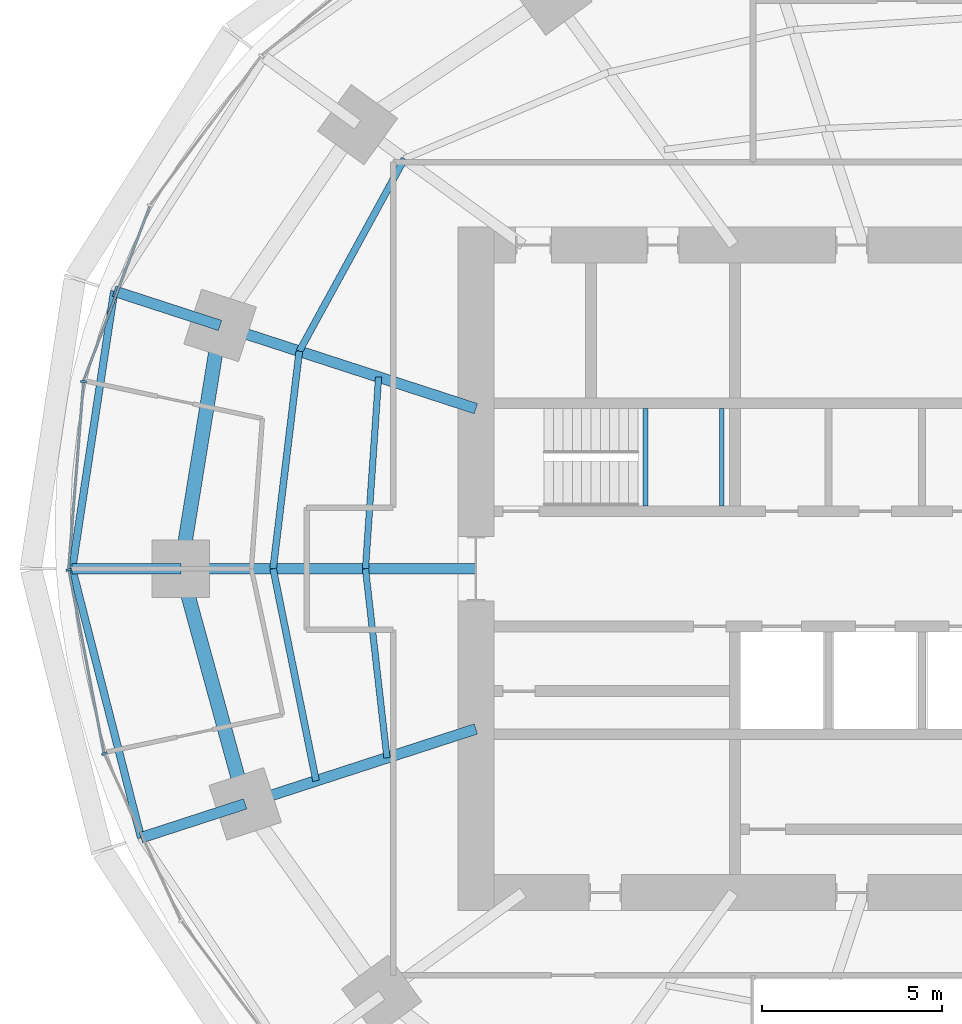
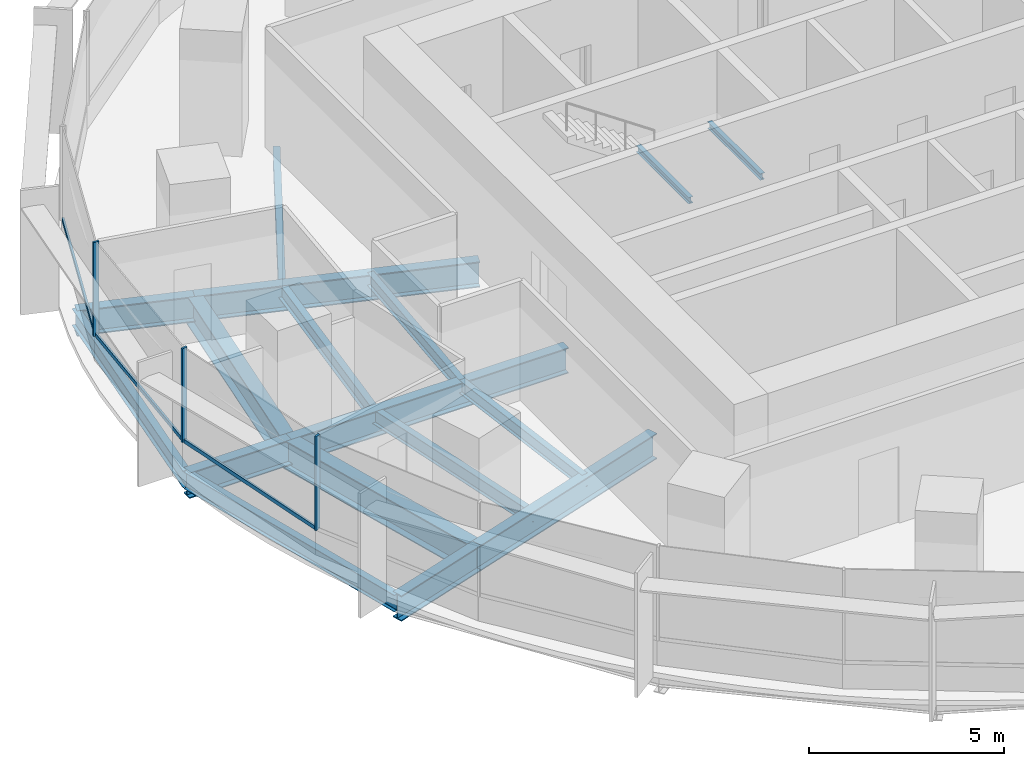
# One storey, part 4 of 14: 17 beams, 6 members, 2 elements without a shape of their own.
"""IFC4 building model written with IfcOpenShell, lengths in metres."""

from ifc_helpers import new_model, si_unit, direction, frame, origin, origin_2d, place, context, subcontext, project, spatial, rectangle, i_section, extrude, material, material_profile, profile_set, type_object, element, aggregate, save


model = new_model("IFC4")

# Units and contexts
model_context = context("Model", 3, precision=1e-05, world=origin(), true_north=direction((0.0, 1.0)))
body_context = subcontext(model_context, "Body", "Model", "MODEL_VIEW")
ifc_project = project(units=[si_unit("LENGTHUNIT", "METRE"), si_unit("AREAUNIT", "SQUARE_METRE"), si_unit("VOLUMEUNIT", "CUBIC_METRE"), si_unit("PLANEANGLEUNIT", "RADIAN"), si_unit("MASSUNIT", "GRAM", prefix="KILO")], contexts=[model_context])

# Site, building, storey
site_placement = place(None, origin())
site = spatial("IfcSite", under=ifc_project, at=site_placement, CompositionType="ELEMENT")
building_placement = place(site_placement, origin())
building = spatial("IfcBuilding", under=site, at=building_placement, Name="Marramba Exchange Tower", CompositionType="ELEMENT")
storey_placement = place(building_placement, frame((0.0, 0.0, 150.89990234375)))
storey = spatial("IfcBuildingStorey", under=building, at=storey_placement, Name="L36", CompositionType="ELEMENT", Elevation=150.89990234375)

# Beams
ifc_material_1 = material(Name="Steel AS/NZS 3679.2 grade 300", Category="steel")
ifc_material_profile_1 = material_profile(ifc_material_1, i_section(OverallWidth=0.300048828125, OverallDepth=0.800048828125, WebThickness=0.013916015625, FlangeThickness=0.031982421875, at=origin_2d()), Name="800WB192")
ifc_profile_set_1 = profile_set([ifc_material_profile_1], Name="Steel AS/NZS 3679.2 grade 300")
beam_type_1 = type_object("IfcBeamType", Name="Cantilever girder 800WB192", PredefinedType="BEAM", material=ifc_profile_set_1)
beam_1_placement = place(storey_placement, frame((-20.808349609375, 6.760986328125, -0.559814453125), z_axis=(-0.95104799017, 0.309043233858, 0.0), x_axis=(-0.309043233858, -0.95104799017, 0.0)))
element("IfcBeam", 1, at=beam_1_placement, inside=storey, type_object=beam_type_1, Name="Cantilever girder L36 TC10", PredefinedType="BEAM", context=body_context, shape_type="SweptSolid", body=[
    extrude(i_section(OverallWidth=0.300048828125, OverallDepth=0.800048828125, WebThickness=0.013916015625, FlangeThickness=0.031982421875, at=origin_2d()), origin(), (0.0, 0.0, 1.0), 3.0927734375),
])
beam_2_placement = place(storey_placement, frame((-21.89990234375, 0.0, -0.559814453125), z_axis=(-1.0, 0.0, 0.0), x_axis=(0.0, -1.0, 0.0)))
element("IfcBeam", 2, at=beam_2_placement, inside=storey, type_object=beam_type_1, Name="Cantilever girder L36 TC11", PredefinedType="BEAM", context=body_context, shape_type="SweptSolid", body=[
    extrude(i_section(OverallWidth=0.300048828125, OverallDepth=0.800048828125, WebThickness=0.013916015625, FlangeThickness=0.031982421875, at=origin_2d()), origin(), (0.0, 0.0, 1.0), 3.01806640625),
])
beam_3_placement = place(storey_placement, frame((-20.109375, -6.533935546875, -0.559814453125), z_axis=(-0.951070617775, -0.308973591113, 0.0), x_axis=(0.308973591113, -0.951070617775, 0.0)))
element("IfcBeam", 3, at=beam_3_placement, inside=storey, type_object=beam_type_1, Name="Cantilever girder L36 TC12", PredefinedType="BEAM", context=body_context, shape_type="SweptSolid", body=[
    extrude(i_section(OverallWidth=0.300048828125, OverallDepth=0.800048828125, WebThickness=0.013916015625, FlangeThickness=0.031982421875, at=origin_2d()), origin(), (0.0, 0.0, 1.0), 3.04296875),
])
ifc_material_2 = material(Name="Steel AS/NZS 3679.1 grade 300", Category="steel")
ifc_material_profile_2 = material_profile(ifc_material_2, i_section(OverallWidth=0.177978515625, OverallDepth=0.406005859375, WebThickness=0.0078125, FlangeThickness=0.0126953125, FilletRadius=0.011474609375, at=origin_2d()), Name="410UB59.7")
ifc_profile_set_2 = profile_set([ifc_material_profile_2], Name="Steel AS/NZS 3679.1 grade 300")
beam_type_2 = type_object("IfcBeamType", Name="Floor joist 410UB59.7", PredefinedType="JOIST", material=ifc_profile_set_2)
beam_4_placement = place(storey_placement, frame((-16.40283203125, 5.32958984375, -0.36279296875), z_axis=(-0.068096259546, -0.99767875563, 0.0), x_axis=(0.99767875563, -0.068096259546, 0.0)))
element("IfcBeam", 4, at=beam_4_placement, inside=storey, type_object=beam_type_2, Name="Joist L36 bay 10 row 1", PredefinedType="JOIST", context=body_context, shape_type="SweptSolid", body=[
    extrude(i_section(OverallWidth=0.177978515625, OverallDepth=0.406005859375, WebThickness=0.0078125, FlangeThickness=0.0126953125, FilletRadius=0.011474609375, at=origin_2d()), origin(), (0.0, 0.0, 1.0), 5.342041015625),
])
beam_5_placement = place(storey_placement, frame((-16.7666015625, 0.0, -0.36279296875), z_axis=(0.112888968594, -0.993607609054, 0.0), x_axis=(0.993607609054, 0.112888968594, 0.0)))
element("IfcBeam", 5, at=beam_5_placement, inside=storey, type_object=beam_type_2, Name="Joist L36 bay 11 row 1", PredefinedType="JOIST", context=body_context, shape_type="SweptSolid", body=[
    extrude(i_section(OverallWidth=0.177978515625, OverallDepth=0.406005859375, WebThickness=0.0078125, FlangeThickness=0.0126953125, FilletRadius=0.011474609375, at=origin_2d()), origin(), (0.0, 0.0, 1.0), 5.28759765625),
])
ifc_material_profile_3 = material_profile(ifc_material_2, i_section(OverallWidth=0.18994140625, OverallDepth=0.4541015625, WebThickness=0.008544921875, FlangeThickness=0.0126953125, FilletRadius=0.011474609375, at=origin_2d()), Name="460UB67.1")
ifc_profile_set_3 = profile_set([ifc_material_profile_3], Name="Steel AS/NZS 3679.1 grade 300")
beam_type_3 = type_object("IfcBeamType", Name="Floor joist 460UB67.1", PredefinedType="JOIST", material=ifc_profile_set_3)
beam_6_placement = place(storey_placement, frame((-15.682373046875, 11.393798828125, -0.386962890625), z_axis=(-0.479584443791, -0.877495732909, 0.0), x_axis=(0.877495732909, -0.479584443791, 0.0)))
element("IfcBeam", 6, at=beam_6_placement, inside=storey, type_object=beam_type_3, Name="Joist L36 bay 09 row 2", PredefinedType="JOIST", context=body_context, shape_type="SweptSolid", body=[
    extrude(i_section(OverallWidth=0.18994140625, OverallDepth=0.4541015625, WebThickness=0.008544921875, FlangeThickness=0.0126953125, FilletRadius=0.011474609375, at=origin_2d()), origin(), (0.0, 0.0, 1.0), 6.094970703125),
])
beam_7_placement = place(storey_placement, frame((-18.60546875, 6.04541015625, -0.386962890625), z_axis=(-0.119523078538, -0.992831422597, 0.0), x_axis=(0.992831422597, -0.119523078538, 0.0)))
element("IfcBeam", 7, at=beam_7_placement, inside=storey, type_object=beam_type_3, Name="Joist L36 bay 10 row 2", PredefinedType="JOIST", context=body_context, shape_type="SweptSolid", body=[
    extrude(i_section(OverallWidth=0.18994140625, OverallDepth=0.4541015625, WebThickness=0.008544921875, FlangeThickness=0.0126953125, FilletRadius=0.011474609375, at=origin_2d()), origin(), (0.0, 0.0, 1.0), 6.089111328125),
])
beam_8_placement = place(storey_placement, frame((-19.333251953125, 0.0, -0.386962890625), z_axis=(0.198489047047, -0.980103105904, 0.0), x_axis=(0.980103105904, 0.198489047047, 0.0)))
element("IfcBeam", 8, at=beam_8_placement, inside=storey, type_object=beam_type_3, Name="Joist L36 bay 11 row 2", PredefinedType="JOIST", context=body_context, shape_type="SweptSolid", body=[
    extrude(i_section(OverallWidth=0.18994140625, OverallDepth=0.4541015625, WebThickness=0.008544921875, FlangeThickness=0.0126953125, FilletRadius=0.011474609375, at=origin_2d()), origin(), (0.0, 0.0, 1.0), 6.013427734375),
])

# Curtain wall, member
ifc_material_3 = material(Name="Aluminium framing, bronze anodised", Category="aluminium")
curtain_wall_type = type_object("IfcCurtainWallType", Name="Office ribbon curtain wall", PredefinedType="USERDEFINED", material=ifc_material_3)
curtain_wall_1_placement = place(storey_placement, origin())
curtain_wall_1 = element("IfcCurtainWall", 9, at=curtain_wall_1_placement, inside=storey, type_object=curtain_wall_type, Name="Curtain wall CW4 L36 F11-F15", ObjectType="RIBBON CURTAIN WALL", PredefinedType="USERDEFINED")
ifc_material_4 = material(Name="Aluminium mullion, bronze anodised", Category="aluminium")
ifc_material_profile_4 = material_profile(ifc_material_4, rectangle(XDim=0.159912109375, YDim=0.06005859375, at=origin_2d()), Name="CW4 mullion 60x160")
ifc_profile_set_4 = profile_set([ifc_material_profile_4], Name="Aluminium mullion, bronze anodised")
member_type_1 = type_object("IfcMemberType", Name="Office ribbon curtain wall mullion", PredefinedType="MULLION", material=ifc_profile_set_4)
member_1_placement = place(storey_placement, frame((-24.603515625, 5.19921875, 0.800048828125), z_axis=(0.0, 0.0, 1.0), x_axis=(0.996838079455, -0.079459696383, 0.0)))
member_1 = element("IfcMember", 10, at=member_1_placement, type_object=member_type_1, Name="CW4 mullion 1", PredefinedType="MULLION", context=body_context, shape_type="SweptSolid", body=[
    extrude(rectangle(XDim=0.159912109375, YDim=0.06005859375, at=origin_2d()), origin(), (0.0, 0.0, 1.0), 2.93994140625),
])

# Curtain wall, members
curtain_wall_2_placement = place(storey_placement, origin())
curtain_wall_2 = element("IfcCurtainWall", 11, at=curtain_wall_2_placement, inside=storey, type_object=curtain_wall_type, Name="Curtain wall CW4 L36 F16-F20", ObjectType="RIBBON CURTAIN WALL", PredefinedType="USERDEFINED")
member_2_placement = place(storey_placement, frame((-25.012451171875, -0.029541015625, 0.800048828125), z_axis=(0.0, 0.0, 1.0), x_axis=(0.982125509078, 0.18822721487, 0.0)))
member_2 = element("IfcMember", 12, at=member_2_placement, type_object=member_type_1, Name="CW4 mullion 1", PredefinedType="MULLION", context=body_context, shape_type="SweptSolid", body=[
    extrude(rectangle(XDim=0.159912109375, YDim=0.06005859375, at=origin_2d()), origin(), (0.0, 0.0, 1.0), 2.93994140625),
])
member_3_placement = place(storey_placement, frame((-24.026123046875, -5.136962890625, 0.800048828125), z_axis=(0.0, 0.0, 1.0), x_axis=(0.909026713177, 0.416737848929, 0.0)))
member_3 = element("IfcMember", 13, at=member_3_placement, type_object=member_type_1, Name="CW4 mullion 1", PredefinedType="MULLION", context=body_context, shape_type="SweptSolid", body=[
    extrude(rectangle(XDim=0.159912109375, YDim=0.06005859375, at=origin_2d()), origin(), (0.0, 0.0, 1.0), 2.93994140625),
])

# Member
ifc_material_5 = material(Name="Aluminium transom, bronze anodised", Category="aluminium")
ifc_material_profile_5 = material_profile(ifc_material_5, rectangle(XDim=0.06005859375, YDim=0.1201171875, at=origin_2d()), Name="CW4 transom 60x120")
ifc_profile_set_5 = profile_set([ifc_material_profile_5], Name="Aluminium transom, bronze anodised")
member_type_2 = type_object("IfcMemberType", Name="Office ribbon curtain wall transom", PredefinedType="USERDEFINED", material=ifc_profile_set_5)
member_4_placement = place(storey_placement, frame((-22.763916015625, 10.069580078125, 0.830078125), z_axis=(-0.354851822252, -0.934922555212, 0.0), x_axis=(0.934922555212, -0.354851822252, 0.0)))
member_4 = element("IfcMember", 14, at=member_4_placement, type_object=member_type_2, Name="CW4 sill transom", ObjectType="TRANSOM", PredefinedType="USERDEFINED", context=body_context, shape_type="SweptSolid", body=[
    extrude(rectangle(XDim=0.06005859375, YDim=0.1201171875, at=origin_2d()), origin(), (0.0, 0.0, 1.0), 5.17724609375),
])

member_5_placement = place(storey_placement, frame((-24.60595703125, 5.16943359375, 0.830078125), z_axis=(-0.07946828762, -0.996837394595, 0.0), x_axis=(0.996837394595, -0.07946828762, 0.0)))
member_5 = element("IfcMember", 15, at=member_5_placement, type_object=member_type_2, Name="CW4 sill transom", ObjectType="TRANSOM", PredefinedType="USERDEFINED", context=body_context, shape_type="SweptSolid", body=[
    extrude(rectangle(XDim=0.06005859375, YDim=0.1201171875, at=origin_2d()), origin(), (0.0, 0.0, 1.0), 5.185791015625),
])

aggregate(curtain_wall_1, [member_4, member_1, member_5])

member_6_placement = place(storey_placement, frame((-25.006591796875, -0.058837890625, 0.830078125), z_axis=(0.188185293992, -0.982133542409, 0.0), x_axis=(0.982133542409, 0.188185293992, 0.0)))
member_6 = element("IfcMember", 16, at=member_6_placement, type_object=member_type_2, Name="CW4 sill transom", ObjectType="TRANSOM", PredefinedType="USERDEFINED", context=body_context, shape_type="SweptSolid", body=[
    extrude(rectangle(XDim=0.06005859375, YDim=0.1201171875, at=origin_2d()), origin(), (0.0, 0.0, 1.0), 5.142578125),
])

aggregate(curtain_wall_2, [member_2, member_6, member_3])

# Beams
ifc_material_profile_6 = material_profile(ifc_material_1, i_section(OverallWidth=0.300048828125, OverallDepth=0.800048828125, WebThickness=0.013916015625, FlangeThickness=0.031982421875, at=origin_2d()), Name="800WB192")
ifc_profile_set_6 = profile_set([ifc_material_profile_6], Name="Steel AS/NZS 3679.2 grade 300")
beam_type_4 = type_object("IfcBeamType", Name="Radial girder 800WB192", PredefinedType="BEAM", material=ifc_profile_set_6)
beam_9_placement = place(storey_placement, frame((-13.699951171875, 4.451416015625, -0.559814453125), z_axis=(-0.951059990189, 0.309006302624, 0.0), x_axis=(-0.309006302624, -0.951059990189, 0.0)))
element("IfcBeam", 17, at=beam_9_placement, inside=storey, type_object=beam_type_4, Name="Radial girder L36 TC10", PredefinedType="BEAM", context=body_context, shape_type="SweptSolid", body=[
    extrude(i_section(OverallWidth=0.300048828125, OverallDepth=0.800048828125, WebThickness=0.013916015625, FlangeThickness=0.031982421875, at=origin_2d()), origin(), (0.0, 0.0, 1.0), 7.47412109375),
])
beam_10_placement = place(storey_placement, frame((-13.699951171875, 0.0, -0.559814453125), z_axis=(-1.0, 0.0, 0.0), x_axis=(0.0, -1.0, 0.0)))
element("IfcBeam", 18, at=beam_10_placement, inside=storey, type_object=beam_type_4, Name="Radial girder L36 TC11", PredefinedType="BEAM", context=body_context, shape_type="SweptSolid", body=[
    extrude(i_section(OverallWidth=0.300048828125, OverallDepth=0.800048828125, WebThickness=0.013916015625, FlangeThickness=0.031982421875, at=origin_2d()), origin(), (0.0, 0.0, 1.0), 8.199951171875),
])
beam_11_placement = place(storey_placement, frame((-13.699951171875, -4.451416015625, -0.559814453125), z_axis=(-0.951057759669, -0.309013167637, 0.0), x_axis=(0.309013167637, -0.951057759669, 0.0)))
element("IfcBeam", 19, at=beam_11_placement, inside=storey, type_object=beam_type_4, Name="Radial girder L36 TC12", PredefinedType="BEAM", context=body_context, shape_type="SweptSolid", body=[
    extrude(i_section(OverallWidth=0.300048828125, OverallDepth=0.800048828125, WebThickness=0.013916015625, FlangeThickness=0.031982421875, at=origin_2d()), origin(), (0.0, 0.0, 1.0), 6.7392578125),
])
ifc_material_profile_7 = material_profile(ifc_material_1, i_section(OverallWidth=0.39990234375, OverallDepth=0.89990234375, WebThickness=0.01611328125, FlangeThickness=0.031982421875, at=origin_2d()), Name="900WB282")
ifc_profile_set_7 = profile_set([ifc_material_profile_7], Name="Steel AS/NZS 3679.2 grade 300")
beam_type_5 = type_object("IfcBeamType", Name="Ring beam 900WB282", PredefinedType="SPANDREL", material=ifc_profile_set_7)
beam_12_placement = place(storey_placement, frame((-20.808349609375, 6.760986328125, -0.60986328125), z_axis=(-0.159384865399, -0.987216523708, 0.0), x_axis=(0.987216523708, -0.159384865399, 0.0)))
element("IfcBeam", 20, at=beam_12_placement, inside=storey, type_object=beam_type_5, Name="Ring beam L36 TC10-TC11", PredefinedType="SPANDREL", context=body_context, shape_type="SweptSolid", body=[
    extrude(i_section(OverallWidth=0.39990234375, OverallDepth=0.89990234375, WebThickness=0.01611328125, FlangeThickness=0.031982421875, at=origin_2d()), origin(), (0.0, 0.0, 1.0), 6.8486328125),
])
beam_13_placement = place(storey_placement, frame((-21.89990234375, 0.0, -0.60986328125), z_axis=(0.264291166956, -0.964442937176, 0.0), x_axis=(0.964442937176, 0.264291166956, 0.0)))
element("IfcBeam", 21, at=beam_13_placement, inside=storey, type_object=beam_type_5, Name="Ring beam L36 TC11-TC12", PredefinedType="SPANDREL", context=body_context, shape_type="SweptSolid", body=[
    extrude(i_section(OverallWidth=0.39990234375, OverallDepth=0.89990234375, WebThickness=0.01611328125, FlangeThickness=0.031982421875, at=origin_2d()), origin(), (0.0, 0.0, 1.0), 6.77490234375),
])
ifc_material_profile_8 = material_profile(ifc_material_2, i_section(OverallWidth=0.208984375, OverallDepth=0.528076171875, WebThickness=0.009521484375, FlangeThickness=0.01318359375, FilletRadius=0.013916015625, at=origin_2d()), Name="530UB82.0")
ifc_profile_set_8 = profile_set([ifc_material_profile_8], Name="Steel AS/NZS 3679.1 grade 300")
beam_type_6 = type_object("IfcBeamType", Name="Slab edge beam 530UB82.0", PredefinedType="SPANDREL", material=ifc_profile_set_8)
beam_14_placement = place(storey_placement, frame((-23.749755859375, 7.716796875, -0.423828125), z_axis=(-0.149680281727, -0.988734450326, 0.0), x_axis=(0.988734450326, -0.149680281727, 0.0)))
element("IfcBeam", 22, at=beam_14_placement, inside=storey, type_object=beam_type_6, Name="Slab edge beam L36 TC10-TC11", PredefinedType="SPANDREL", context=body_context, shape_type="SweptSolid", body=[
    extrude(i_section(OverallWidth=0.208984375, OverallDepth=0.528076171875, WebThickness=0.009521484375, FlangeThickness=0.01318359375, FilletRadius=0.013916015625, at=origin_2d()), origin(), (0.0, 0.0, 1.0), 7.8046875),
])
beam_15_placement = place(storey_placement, frame((-24.91796875, 0.0, -0.423828125), z_axis=(0.248145427917, -0.968722791413, 0.0), x_axis=(0.968722791413, 0.248145427917, 0.0)))
element("IfcBeam", 23, at=beam_15_placement, inside=storey, type_object=beam_type_6, Name="Slab edge beam L36 TC11-TC12", PredefinedType="SPANDREL", context=body_context, shape_type="SweptSolid", body=[
    extrude(i_section(OverallWidth=0.208984375, OverallDepth=0.528076171875, WebThickness=0.009521484375, FlangeThickness=0.01318359375, FilletRadius=0.013916015625, at=origin_2d()), origin(), (0.0, 0.0, 1.0), 7.71533203125),
])
ifc_material_profile_9 = material_profile(ifc_material_2, i_section(OverallWidth=0.133056640625, OverallDepth=0.202880859375, WebThickness=0.005859375, FlangeThickness=0.0078125, FilletRadius=0.0087890625, at=origin_2d()), Name="200UB25.4")
ifc_profile_set_9 = profile_set([ifc_material_profile_9], Name="Steel AS/NZS 3679.1 grade 300")
beam_type_7 = type_object("IfcBeamType", Name="Stair landing beam 200UB25.4", PredefinedType="BEAM", material=ifc_profile_set_9)
for number, where, z_axis, x_axis, name in (
    (24, (-8.9833984375, 1.75, 1.648681640625), (0.0, 1.0, 0.0), (-1.0, 0.0, 0.0), "Stair landing beam SLB1 ST1 L36 1"),
    (25, (-6.866455078125, 1.75, 1.648681640625), (0.0, 1.0, 0.0), (-1.0, 0.0, 0.0), "Stair landing beam SLB1 ST1 L36 2"),
):
    element("IfcBeam", number, at=place(storey_placement, frame(where, z_axis=z_axis, x_axis=x_axis)), inside=storey, type_object=beam_type_7, Name=name, PredefinedType="BEAM", context=body_context, shape_type="SweptSolid", body=[
        extrude(i_section(OverallWidth=0.133056640625, OverallDepth=0.202880859375, WebThickness=0.005859375, FlangeThickness=0.0078125, FilletRadius=0.0087890625, at=origin_2d()), origin(), (0.0, 0.0, 1.0), 2.699951171875),
    ])

save(model, "model.ifc")
